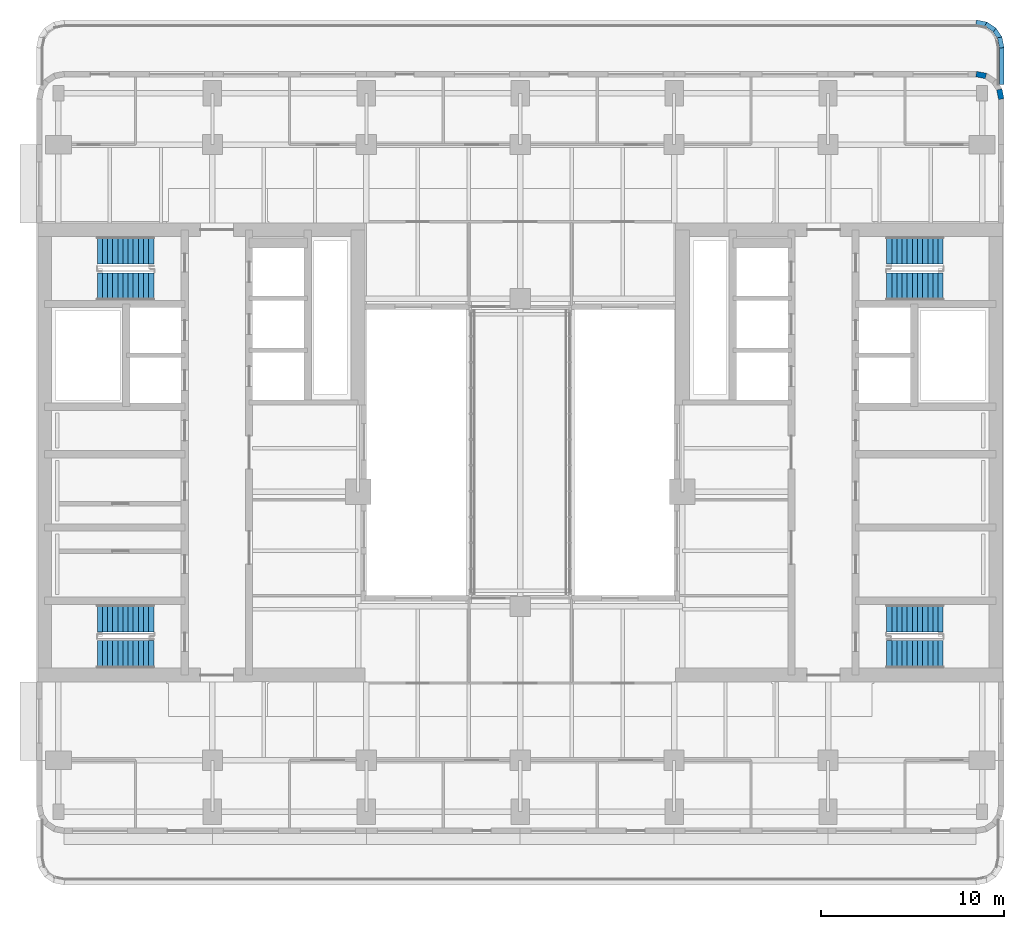
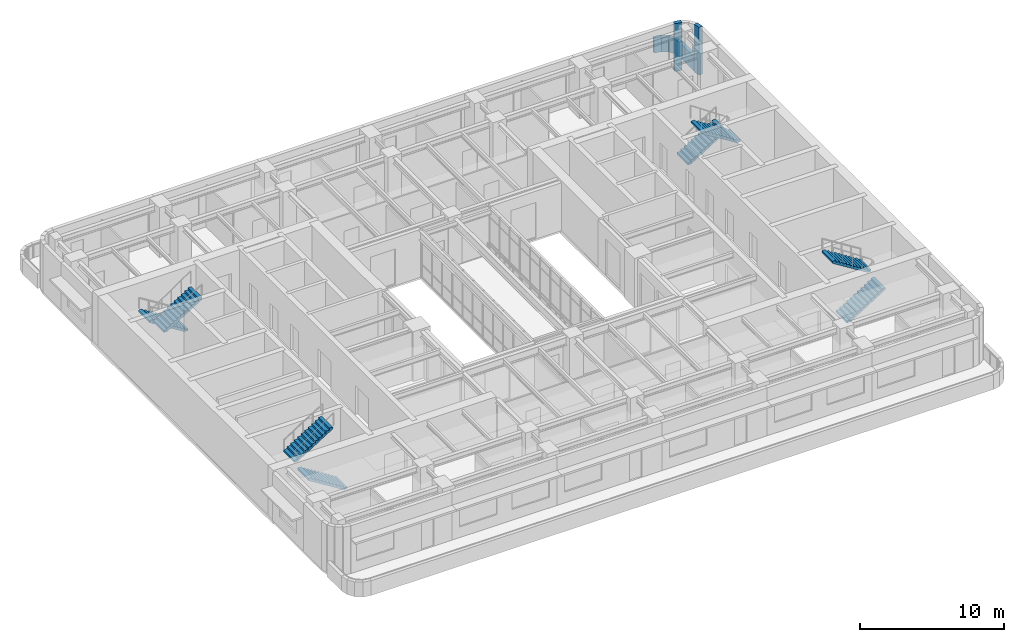
# One storey, part 11 of 15: 8 stair flights, 7 walls, 4 elements without a shape of their own.
"""IFC4 building model written with IfcOpenShell, lengths in metres."""

from ifc_helpers import new_model, si_unit, direction, frame, frame_2d, origin, place, context, subcontext, project, spatial, polyline, rectangle, outline, extrude, material, layer, layer_set, type_object, element, aggregate, save


model = new_model("IFC4")

# Units and contexts
model_context = context("Model", 3, precision=1e-05, world=origin(), true_north=direction((0.0, 1.0)))
body_context = subcontext(model_context, "Body", "Model", "MODEL_VIEW")
ifc_project = project(units=[si_unit("LENGTHUNIT", "METRE"), si_unit("AREAUNIT", "SQUARE_METRE"), si_unit("VOLUMEUNIT", "CUBIC_METRE"), si_unit("PLANEANGLEUNIT", "RADIAN"), si_unit("MASSUNIT", "GRAM", prefix="KILO")], contexts=[model_context])

# Site, building, storey
site_placement = place(None, origin())
site = spatial("IfcSite", under=ifc_project, at=site_placement, CompositionType="ELEMENT")
building_placement = place(site_placement, origin())
building = spatial("IfcBuilding", under=site, at=building_placement, Name="Claustro Exchange Tower", CompositionType="ELEMENT")
storey_placement = place(building_placement, frame((0.0, 0.0, 173.39990234375)))
storey = spatial("IfcBuildingStorey", under=building, at=storey_placement, Name="L39", CompositionType="ELEMENT", Elevation=173.39990234375)

# Walls
ifc_material_1 = material(Name="Concrete HA-40 (C40/50), precast, white cement, acid-etched", Category="concrete")
ifc_layer_1 = layer(ifc_material_1, 0.300048828125)
ifc_layer_set_1 = layer_set([ifc_layer_1], Name="Concrete HA-40 (C40/50), precast, white cement, acid-etched")
wall_type_1 = type_object("IfcWallType", Name="PC1 300 precast concrete pier panel", PredefinedType="SOLIDWALL", material=ifc_layer_set_1)
for number, where, z_axis, x_axis, name in (
    (1, (50.085205078125, 45.85009765625, 0.0), (0.0, 0.0, 1.0), (0.980702050465, -0.1955082817, 0.0), "Precast pier panel PC1 L39"),
    (2, (51.344482421875, 45.015380859375, 0.0), (0.0, 0.0, 1.0), (0.195073962632, -0.980788534345, 0.0), "Precast pier panel PC1 L39"),
):
    element("IfcWall", number, at=place(storey_placement, frame(where, z_axis=z_axis, x_axis=x_axis)), inside=storey, type_object=wall_type_1, Name=name, PredefinedType="SOLIDWALL", context=body_context, shape_type="SweptSolid", body=[
        extrude(rectangle(XDim=0.540771484375, YDim=0.300048828125, at=frame_2d((0.2705078125, 0.0))), origin(), (0.0, 0.0, 1.0), 4.050048828125),
    ])
ifc_material_2 = material(Name="Concrete HA-40 (C40/50), precast, white cement, acid-etched", Category="concrete")
ifc_layer_2 = layer(ifc_material_2, 0.25)
ifc_layer_set_2 = layer_set([ifc_layer_2], Name="Concrete HA-40 (C40/50), precast, white cement, acid-etched")
wall_type_2 = type_object("IfcWallType", Name="PP1 250 precast concrete parapet", PredefinedType="PARAPET", material=ifc_layer_set_2)
for number, where, z_axis, x_axis, name in (
    (3, (50.07568359375, 48.677490234375, -0.159912109375), (0.0, 0.0, 1.0), (0.980756771825, -0.195233589627, 0.0), "Parapet PP1 roof at +173.240"),
    (4, (50.6044921875, 48.581787109375, -0.159912109375), (0.0, 0.0, 1.0), (0.831729296682, -0.555181391115, 0.0), "Parapet PP1 roof at +173.240"),
    (5, (51.056884765625, 48.291259765625, -0.159912109375), (0.0, 0.0, 1.0), (0.555374050802, -0.831600663598, 0.0), "Parapet PP1 roof at +173.240"),
    (6, (51.36328125, 47.849609375, -0.159912109375), (0.0, 0.0, 1.0), (0.1948322756, -0.980836573739, 0.0), "Parapet PP1 roof at +173.240"),
):
    element("IfcWall", number, at=place(storey_placement, frame(where, z_axis=z_axis, x_axis=x_axis)), inside=storey, type_object=wall_type_2, Name=name, PredefinedType="PARAPET", context=body_context, shape_type="SweptSolid", body=[
        extrude(rectangle(XDim=0.585205078125, YDim=0.25, at=frame_2d((0.29248046875, 0.0))), origin(), (0.0, 0.0, 1.0), 1.260009765625),
    ])
wall_placement = place(storey_placement, frame((51.47509765625, 47.300048828125, -0.159912109375), z_axis=(0.0, 0.0, 1.0), x_axis=(0.0, -1.0, 0.0)))
element("IfcWall", 7, at=wall_placement, inside=storey, type_object=wall_type_2, Name="Parapet PP1 roof at +173.240", PredefinedType="PARAPET", context=body_context, shape_type="SweptSolid", body=[
    extrude(rectangle(XDim=2.023193359375, YDim=0.25, at=frame_2d((1.01171875, 0.0))), origin(), (0.0, 0.0, 1.0), 1.260009765625),
])

# Stair, stair flights
ifc_material_3 = material(Name="Concrete HA-30 (C30/37), precast", Category="concrete")
stair_type = type_object("IfcStairType", Name="ST1 half-turn stair, 24 risers of 175", PredefinedType="HALF_TURN_STAIR", material=ifc_material_3)
stair_1_placement = place(storey_placement, origin())
stair_1 = element("IfcStair", 8, at=stair_1_placement, inside=storey, type_object=stair_type, Name="Stair STWA L39", PredefinedType="HALF_TURN_STAIR")
ifc_material_4 = material(Name="Concrete HA-30 (C30/37), precast", Category="concrete")
stair_flight_type = type_object("IfcStairFlightType", Name="SF12A straight flight, 12 risers of 175, 1500 wide", PredefinedType="STRAIGHT", material=ifc_material_4)
stair_flight_1_placement = place(storey_placement, frame((5.199951171875, 14.175048828125, 0.0), z_axis=(0.0, 0.0, 1.0), x_axis=(-1.0, 0.0, 0.0)))
stair_flight_1 = element("IfcStairFlight", 9, at=stair_flight_1_placement, type_object=stair_flight_type, Name="STWA flight 1", NumberOfRisers=12, NumberOfTreads=11, PredefinedType="STRAIGHT", RiserHeight=0.175, TreadLength=0.28, context=body_context, shape_type="SweptSolid", body=[
    extrude(outline(polyline([(0.0, 0.0), (0.0, 0.175048828125), (0.280029296875, 0.175048828125), (0.280029296875, 0.35009765625), (0.56005859375, 0.35009765625), (0.56005859375, 0.52490234375), (0.840087890625, 0.52490234375), (0.840087890625, 0.699951171875), (1.1201171875, 0.699951171875), (1.1201171875, 0.875), (1.39990234375, 0.875), (1.39990234375, 1.050048828125), (1.679931640625, 1.050048828125), (1.679931640625, 1.22509765625), (1.9599609375, 1.22509765625), (1.9599609375, 1.39990234375), (2.239990234375, 1.39990234375), (2.239990234375, 1.574951171875), (2.52001953125, 1.574951171875), (2.52001953125, 1.75), (2.800048828125, 1.75), (2.800048828125, 1.925048828125), (3.080078125, 1.925048828125), (3.080078125, 2.10009765625), (3.080078125, 1.748291015625), (0.28271484375, 0.0), (0.0, 0.0)])), frame((0.0, 0.75, 0.0), z_axis=(0.0, -1.0, 0.0), x_axis=(1.0, 0.0, 0.0)), (0.0, 0.0, 1.0), 1.5),
])
stair_flight_2_placement = place(storey_placement, frame((2.1201171875, 16.14990234375, 2.10009765625), z_axis=(0.0, 0.0, 1.0), x_axis=(1.0, 0.0, 0.0)))
stair_flight_2 = element("IfcStairFlight", 10, at=stair_flight_2_placement, type_object=stair_flight_type, Name="STWA flight 2", NumberOfRisers=12, NumberOfTreads=11, PredefinedType="STRAIGHT", RiserHeight=0.175, TreadLength=0.28, context=body_context, shape_type="SweptSolid", body=[
    extrude(outline(polyline([(0.0, 0.0), (0.0, 0.175048828125), (0.280029296875, 0.175048828125), (0.280029296875, 0.35009765625), (0.56005859375, 0.35009765625), (0.56005859375, 0.52490234375), (0.840087890625, 0.52490234375), (0.840087890625, 0.699951171875), (1.1201171875, 0.699951171875), (1.1201171875, 0.875), (1.39990234375, 0.875), (1.39990234375, 1.050048828125), (1.679931640625, 1.050048828125), (1.679931640625, 1.22509765625), (1.9599609375, 1.22509765625), (1.9599609375, 1.39990234375), (2.239990234375, 1.39990234375), (2.239990234375, 1.574951171875), (2.52001953125, 1.574951171875), (2.52001953125, 1.75), (2.800048828125, 1.75), (2.800048828125, 1.925048828125), (3.080078125, 1.925048828125), (3.080078125, 2.10009765625), (3.080078125, 1.748291015625), (0.28271484375, 0.0), (0.0, 0.0)])), frame((0.0, 0.75, 0.0), z_axis=(0.0, -1.0, 0.0), x_axis=(1.0, 0.0, 0.0)), (0.0, 0.0, 1.0), 1.5),
])
aggregate(stair_1, [stair_flight_1, stair_flight_2])

stair_2_placement = place(storey_placement, origin())
stair_2 = element("IfcStair", 11, at=stair_2_placement, inside=storey, type_object=stair_type, Name="Stair STWB L39", PredefinedType="HALF_TURN_STAIR")
stair_flight_3_placement = place(storey_placement, frame((5.199951171875, 36.22509765625, 0.0), z_axis=(0.0, 0.0, 1.0), x_axis=(-1.0, 0.0, 0.0)))
stair_flight_3 = element("IfcStairFlight", 12, at=stair_flight_3_placement, type_object=stair_flight_type, Name="STWB flight 1", NumberOfRisers=12, NumberOfTreads=11, PredefinedType="STRAIGHT", RiserHeight=0.175, TreadLength=0.28, context=body_context, shape_type="SweptSolid", body=[
    extrude(outline(polyline([(0.0, 0.0), (0.0, 0.175048828125), (0.280029296875, 0.175048828125), (0.280029296875, 0.35009765625), (0.56005859375, 0.35009765625), (0.56005859375, 0.52490234375), (0.840087890625, 0.52490234375), (0.840087890625, 0.699951171875), (1.1201171875, 0.699951171875), (1.1201171875, 0.875), (1.39990234375, 0.875), (1.39990234375, 1.050048828125), (1.679931640625, 1.050048828125), (1.679931640625, 1.22509765625), (1.9599609375, 1.22509765625), (1.9599609375, 1.39990234375), (2.239990234375, 1.39990234375), (2.239990234375, 1.574951171875), (2.52001953125, 1.574951171875), (2.52001953125, 1.75), (2.800048828125, 1.75), (2.800048828125, 1.925048828125), (3.080078125, 1.925048828125), (3.080078125, 2.10009765625), (3.080078125, 1.748291015625), (0.28271484375, 0.0), (0.0, 0.0)])), frame((0.0, 0.75, 0.0), z_axis=(0.0, -1.0, 0.0), x_axis=(1.0, 0.0, 0.0)), (0.0, 0.0, 1.0), 1.5),
])
stair_flight_4_placement = place(storey_placement, frame((2.1201171875, 34.25, 2.10009765625), z_axis=(0.0, 0.0, 1.0), x_axis=(1.0, 0.0, 0.0)))
stair_flight_4 = element("IfcStairFlight", 13, at=stair_flight_4_placement, type_object=stair_flight_type, Name="STWB flight 2", NumberOfRisers=12, NumberOfTreads=11, PredefinedType="STRAIGHT", RiserHeight=0.175, TreadLength=0.28, context=body_context, shape_type="SweptSolid", body=[
    extrude(outline(polyline([(0.0, 0.0), (0.0, 0.175048828125), (0.280029296875, 0.175048828125), (0.280029296875, 0.35009765625), (0.56005859375, 0.35009765625), (0.56005859375, 0.52490234375), (0.840087890625, 0.52490234375), (0.840087890625, 0.699951171875), (1.1201171875, 0.699951171875), (1.1201171875, 0.875), (1.39990234375, 0.875), (1.39990234375, 1.050048828125), (1.679931640625, 1.050048828125), (1.679931640625, 1.22509765625), (1.9599609375, 1.22509765625), (1.9599609375, 1.39990234375), (2.239990234375, 1.39990234375), (2.239990234375, 1.574951171875), (2.52001953125, 1.574951171875), (2.52001953125, 1.75), (2.800048828125, 1.75), (2.800048828125, 1.925048828125), (3.080078125, 1.925048828125), (3.080078125, 2.10009765625), (3.080078125, 1.748291015625), (0.28271484375, 0.0), (0.0, 0.0)])), frame((0.0, 0.75, 0.0), z_axis=(0.0, -1.0, 0.0), x_axis=(1.0, 0.0, 0.0)), (0.0, 0.0, 1.0), 1.5),
])
aggregate(stair_2, [stair_flight_3, stair_flight_4])

stair_3_placement = place(storey_placement, origin())
stair_3 = element("IfcStair", 14, at=stair_3_placement, inside=storey, type_object=stair_type, Name="Stair STEA L39", PredefinedType="HALF_TURN_STAIR")
stair_flight_5_placement = place(storey_placement, frame((45.199951171875, 14.175048828125, 0.0), z_axis=(0.0, 0.0, 1.0), x_axis=(1.0, 0.0, 0.0)))
stair_flight_5 = element("IfcStairFlight", 15, at=stair_flight_5_placement, type_object=stair_flight_type, Name="STEA flight 1", NumberOfRisers=12, NumberOfTreads=11, PredefinedType="STRAIGHT", RiserHeight=0.175, TreadLength=0.28, context=body_context, shape_type="SweptSolid", body=[
    extrude(outline(polyline([(0.0, 0.0), (0.0, 0.175048828125), (0.280029296875, 0.175048828125), (0.280029296875, 0.35009765625), (0.56005859375, 0.35009765625), (0.56005859375, 0.52490234375), (0.840087890625, 0.52490234375), (0.840087890625, 0.699951171875), (1.1201171875, 0.699951171875), (1.1201171875, 0.875), (1.39990234375, 0.875), (1.39990234375, 1.050048828125), (1.679931640625, 1.050048828125), (1.679931640625, 1.22509765625), (1.9599609375, 1.22509765625), (1.9599609375, 1.39990234375), (2.239990234375, 1.39990234375), (2.239990234375, 1.574951171875), (2.52001953125, 1.574951171875), (2.52001953125, 1.75), (2.800048828125, 1.75), (2.800048828125, 1.925048828125), (3.080078125, 1.925048828125), (3.080078125, 2.10009765625), (3.080078125, 1.748291015625), (0.28271484375, 0.0), (0.0, 0.0)])), frame((0.0, 0.75, 0.0), z_axis=(0.0, -1.0, 0.0), x_axis=(1.0, 0.0, 0.0)), (0.0, 0.0, 1.0), 1.5),
])
stair_flight_6_placement = place(storey_placement, frame((48.280029296875, 16.14990234375, 2.10009765625), z_axis=(0.0, 0.0, 1.0), x_axis=(-1.0, 0.0, 0.0)))
stair_flight_6 = element("IfcStairFlight", 16, at=stair_flight_6_placement, type_object=stair_flight_type, Name="STEA flight 2", NumberOfRisers=12, NumberOfTreads=11, PredefinedType="STRAIGHT", RiserHeight=0.175, TreadLength=0.28, context=body_context, shape_type="SweptSolid", body=[
    extrude(outline(polyline([(0.0, 0.0), (0.0, 0.175048828125), (0.280029296875, 0.175048828125), (0.280029296875, 0.35009765625), (0.56005859375, 0.35009765625), (0.56005859375, 0.52490234375), (0.840087890625, 0.52490234375), (0.840087890625, 0.699951171875), (1.1201171875, 0.699951171875), (1.1201171875, 0.875), (1.39990234375, 0.875), (1.39990234375, 1.050048828125), (1.679931640625, 1.050048828125), (1.679931640625, 1.22509765625), (1.9599609375, 1.22509765625), (1.9599609375, 1.39990234375), (2.239990234375, 1.39990234375), (2.239990234375, 1.574951171875), (2.52001953125, 1.574951171875), (2.52001953125, 1.75), (2.800048828125, 1.75), (2.800048828125, 1.925048828125), (3.080078125, 1.925048828125), (3.080078125, 2.10009765625), (3.080078125, 1.748291015625), (0.28271484375, 0.0), (0.0, 0.0)])), frame((0.0, 0.75, 0.0), z_axis=(0.0, -1.0, 0.0), x_axis=(1.0, 0.0, 0.0)), (0.0, 0.0, 1.0), 1.5),
])
aggregate(stair_3, [stair_flight_5, stair_flight_6])

stair_4_placement = place(storey_placement, origin())
stair_4 = element("IfcStair", 17, at=stair_4_placement, inside=storey, type_object=stair_type, Name="Stair STEB L39", PredefinedType="HALF_TURN_STAIR")
stair_flight_7_placement = place(storey_placement, frame((45.199951171875, 36.22509765625, 0.0), z_axis=(0.0, 0.0, 1.0), x_axis=(1.0, 0.0, 0.0)))
stair_flight_7 = element("IfcStairFlight", 18, at=stair_flight_7_placement, type_object=stair_flight_type, Name="STEB flight 1", NumberOfRisers=12, NumberOfTreads=11, PredefinedType="STRAIGHT", RiserHeight=0.175, TreadLength=0.28, context=body_context, shape_type="SweptSolid", body=[
    extrude(outline(polyline([(0.0, 0.0), (0.0, 0.175048828125), (0.280029296875, 0.175048828125), (0.280029296875, 0.35009765625), (0.56005859375, 0.35009765625), (0.56005859375, 0.52490234375), (0.840087890625, 0.52490234375), (0.840087890625, 0.699951171875), (1.1201171875, 0.699951171875), (1.1201171875, 0.875), (1.39990234375, 0.875), (1.39990234375, 1.050048828125), (1.679931640625, 1.050048828125), (1.679931640625, 1.22509765625), (1.9599609375, 1.22509765625), (1.9599609375, 1.39990234375), (2.239990234375, 1.39990234375), (2.239990234375, 1.574951171875), (2.52001953125, 1.574951171875), (2.52001953125, 1.75), (2.800048828125, 1.75), (2.800048828125, 1.925048828125), (3.080078125, 1.925048828125), (3.080078125, 2.10009765625), (3.080078125, 1.748291015625), (0.28271484375, 0.0), (0.0, 0.0)])), frame((0.0, 0.75, 0.0), z_axis=(0.0, -1.0, 0.0), x_axis=(1.0, 0.0, 0.0)), (0.0, 0.0, 1.0), 1.5),
])
stair_flight_8_placement = place(storey_placement, frame((48.280029296875, 34.25, 2.10009765625), z_axis=(0.0, 0.0, 1.0), x_axis=(-1.0, 0.0, 0.0)))
stair_flight_8 = element("IfcStairFlight", 19, at=stair_flight_8_placement, type_object=stair_flight_type, Name="STEB flight 2", NumberOfRisers=12, NumberOfTreads=11, PredefinedType="STRAIGHT", RiserHeight=0.175, TreadLength=0.28, context=body_context, shape_type="SweptSolid", body=[
    extrude(outline(polyline([(0.0, 0.0), (0.0, 0.175048828125), (0.280029296875, 0.175048828125), (0.280029296875, 0.35009765625), (0.56005859375, 0.35009765625), (0.56005859375, 0.52490234375), (0.840087890625, 0.52490234375), (0.840087890625, 0.699951171875), (1.1201171875, 0.699951171875), (1.1201171875, 0.875), (1.39990234375, 0.875), (1.39990234375, 1.050048828125), (1.679931640625, 1.050048828125), (1.679931640625, 1.22509765625), (1.9599609375, 1.22509765625), (1.9599609375, 1.39990234375), (2.239990234375, 1.39990234375), (2.239990234375, 1.574951171875), (2.52001953125, 1.574951171875), (2.52001953125, 1.75), (2.800048828125, 1.75), (2.800048828125, 1.925048828125), (3.080078125, 1.925048828125), (3.080078125, 2.10009765625), (3.080078125, 1.748291015625), (0.28271484375, 0.0), (0.0, 0.0)])), frame((0.0, 0.75, 0.0), z_axis=(0.0, -1.0, 0.0), x_axis=(1.0, 0.0, 0.0)), (0.0, 0.0, 1.0), 1.5),
])
aggregate(stair_4, [stair_flight_7, stair_flight_8])

save(model, "model.ifc")
